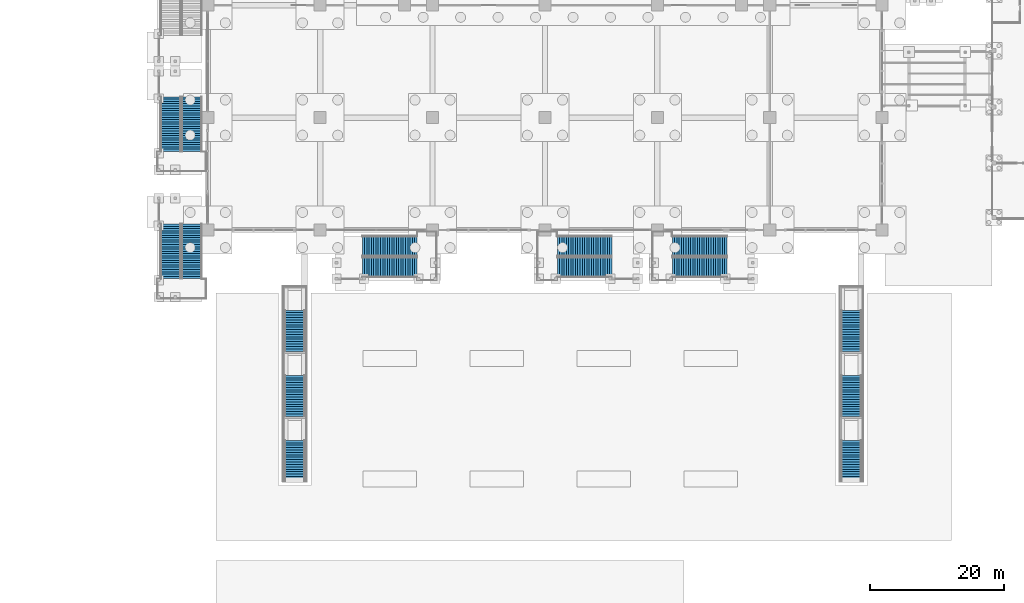
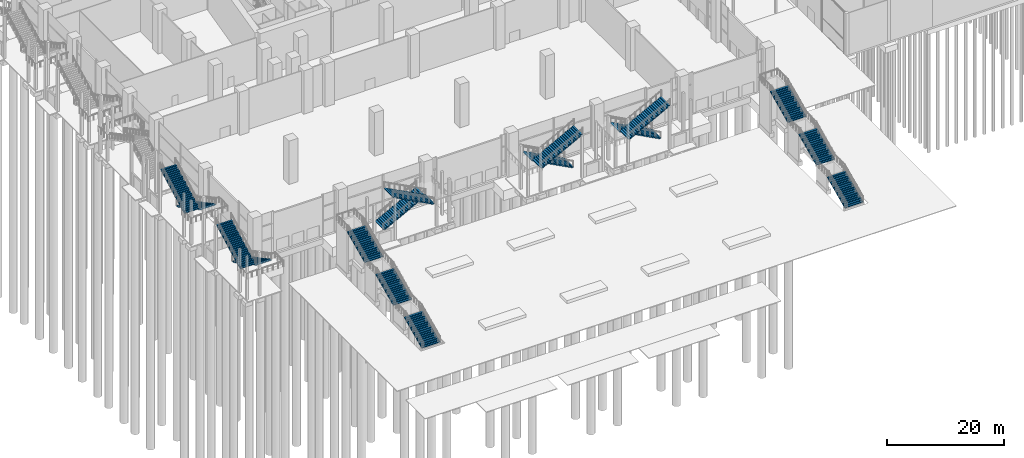
# One storey, part 51 of 72: 16 stair flights, 7 elements without a shape of their own.
"""IFC4 building model written with IfcOpenShell, lengths in metres."""

from ifc_helpers import new_model, si_unit, direction, frame, origin, place, context, subcontext, project, spatial, polyline, outline, extrude, material, type_object, element, aggregate, save


model = new_model("IFC4")

# Units and contexts
model_context = context("Model", 3, precision=1e-05, world=origin(), true_north=direction((0.0, 1.0)))
body_context = subcontext(model_context, "Body", "Model", "MODEL_VIEW")
ifc_project = project(units=[si_unit("LENGTHUNIT", "METRE"), si_unit("AREAUNIT", "SQUARE_METRE"), si_unit("VOLUMEUNIT", "CUBIC_METRE"), si_unit("PLANEANGLEUNIT", "RADIAN"), si_unit("MASSUNIT", "GRAM", prefix="KILO")], contexts=[model_context])

# Site, building, storey
site_placement = place(None, origin())
site = spatial("IfcSite", under=ifc_project, at=site_placement, CompositionType="ELEMENT")
building_placement = place(site_placement, origin())
building = spatial("IfcBuilding", under=site, at=building_placement, Name="Candeia Pilgrim Tower and Theatre", CompositionType="ELEMENT")
storey_placement = place(building_placement, origin())
storey = spatial("IfcBuildingStorey", under=building, at=storey_placement, Name="L00", CompositionType="ELEMENT", Elevation=0.0)

# Stair, stair flights
ifc_material_1 = material(Name="Concrete C35/45", Category="concrete")
stair_type_1 = type_object("IfcStairType", Name="Garden stair", PredefinedType="STRAIGHT_RUN_STAIR", material=ifc_material_1)
stair_1_placement = place(storey_placement, origin())
stair_1 = element("IfcStair", 1, at=stair_1_placement, inside=storey, type_object=stair_type_1, Name="Garden stair W", PredefinedType="STRAIGHT_RUN_STAIR")
stair_flight_type_1 = type_object("IfcStairFlightType", Name="Garden stair flight", PredefinedType="STRAIGHT", material=ifc_material_1)
stair_flight_1_placement = place(storey_placement, frame((71.800048828125, 26.840087890625, 0.0), z_axis=(0.0, 0.0, 1.0), x_axis=(0.0, 1.0, 0.0)))
stair_flight_1 = element("IfcStairFlight", 2, at=stair_flight_1_placement, type_object=stair_flight_type_1, Name="GS1 flight 1", NumberOfRisers=18, NumberOfTreads=17, PredefinedType="STRAIGHT", RiserHeight=0.166666667, TreadLength=0.36, context=body_context, shape_type="SweptSolid", body=[
    extrude(outline(polyline([(0.0, 0.0), (0.0, 0.166748046875), (0.360107421875, 0.166748046875), (0.360107421875, 0.333251953125), (0.719970703125, 0.333251953125), (0.719970703125, 0.5), (1.080078125, 0.5), (1.080078125, 0.666748046875), (1.43994140625, 0.666748046875), (1.43994140625, 0.833251953125), (1.800048828125, 0.833251953125), (1.800048828125, 1.0), (2.159912109375, 1.0), (2.159912109375, 1.166748046875), (2.52001953125, 1.166748046875), (2.52001953125, 1.333251953125), (2.8798828125, 1.333251953125), (2.8798828125, 1.5), (3.239990234375, 1.5), (3.239990234375, 1.666748046875), (3.60009765625, 1.666748046875), (3.60009765625, 1.833251953125), (3.9599609375, 1.833251953125), (3.9599609375, 2.0), (4.320068359375, 2.0), (4.320068359375, 2.166748046875), (4.679931640625, 2.166748046875), (4.679931640625, 2.333251953125), (5.0400390625, 2.333251953125), (5.0400390625, 2.5), (5.39990234375, 2.5), (5.39990234375, 2.666748046875), (5.760009765625, 2.666748046875), (5.760009765625, 2.833251953125), (6.1201171875, 2.833251953125), (6.1201171875, 3.0), (6.1201171875, 2.668212890625), (0.356689453125, 0.0), (0.0, 0.0)])), frame((0.0, 1.800048828125, 0.0), z_axis=(0.0, -1.0, 0.0), x_axis=(1.0, 0.0, 0.0)), (0.0, 0.0, 1.0), 3.60009765625),
])
stair_flight_2_placement = place(storey_placement, frame((71.800048828125, 36.56005859375, 3.0), z_axis=(0.0, 0.0, 1.0), x_axis=(0.0, 1.0, 0.0)))
stair_flight_2 = element("IfcStairFlight", 3, at=stair_flight_2_placement, type_object=stair_flight_type_1, Name="GS1 flight 2", NumberOfRisers=18, NumberOfTreads=17, PredefinedType="STRAIGHT", RiserHeight=0.166666667, TreadLength=0.36, context=body_context, shape_type="SweptSolid", body=[
    extrude(outline(polyline([(0.0, 0.0), (0.0, 0.166748046875), (0.360107421875, 0.166748046875), (0.360107421875, 0.333251953125), (0.719970703125, 0.333251953125), (0.719970703125, 0.5), (1.080078125, 0.5), (1.080078125, 0.666748046875), (1.43994140625, 0.666748046875), (1.43994140625, 0.833251953125), (1.800048828125, 0.833251953125), (1.800048828125, 1.0), (2.159912109375, 1.0), (2.159912109375, 1.166748046875), (2.52001953125, 1.166748046875), (2.52001953125, 1.333251953125), (2.8798828125, 1.333251953125), (2.8798828125, 1.5), (3.239990234375, 1.5), (3.239990234375, 1.666748046875), (3.60009765625, 1.666748046875), (3.60009765625, 1.833251953125), (3.9599609375, 1.833251953125), (3.9599609375, 2.0), (4.320068359375, 2.0), (4.320068359375, 2.166748046875), (4.679931640625, 2.166748046875), (4.679931640625, 2.333251953125), (5.0400390625, 2.333251953125), (5.0400390625, 2.5), (5.39990234375, 2.5), (5.39990234375, 2.666748046875), (5.760009765625, 2.666748046875), (5.760009765625, 2.833251953125), (6.1201171875, 2.833251953125), (6.1201171875, 3.0), (6.1201171875, 2.668212890625), (0.356689453125, 0.0), (0.0, 0.0)])), frame((0.0, 1.800048828125, 0.0), z_axis=(0.0, -1.0, 0.0), x_axis=(1.0, 0.0, 0.0)), (0.0, 0.0, 1.0), 3.60009765625),
])
stair_flight_3_placement = place(storey_placement, frame((71.800048828125, 46.280029296875, 6.0), z_axis=(0.0, 0.0, 1.0), x_axis=(0.0, 1.0, 0.0)))
stair_flight_3 = element("IfcStairFlight", 4, at=stair_flight_3_placement, type_object=stair_flight_type_1, Name="GS1 flight 3", NumberOfRisers=18, NumberOfTreads=17, PredefinedType="STRAIGHT", RiserHeight=0.166666667, TreadLength=0.36, context=body_context, shape_type="SweptSolid", body=[
    extrude(outline(polyline([(0.0, 0.0), (0.0, 0.166748046875), (0.360107421875, 0.166748046875), (0.360107421875, 0.333251953125), (0.719970703125, 0.333251953125), (0.719970703125, 0.5), (1.080078125, 0.5), (1.080078125, 0.666748046875), (1.43994140625, 0.666748046875), (1.43994140625, 0.833251953125), (1.800048828125, 0.833251953125), (1.800048828125, 1.0), (2.159912109375, 1.0), (2.159912109375, 1.166748046875), (2.52001953125, 1.166748046875), (2.52001953125, 1.333251953125), (2.8798828125, 1.333251953125), (2.8798828125, 1.5), (3.239990234375, 1.5), (3.239990234375, 1.666748046875), (3.60009765625, 1.666748046875), (3.60009765625, 1.833251953125), (3.9599609375, 1.833251953125), (3.9599609375, 2.0), (4.320068359375, 2.0), (4.320068359375, 2.166748046875), (4.679931640625, 2.166748046875), (4.679931640625, 2.333251953125), (5.0400390625, 2.333251953125), (5.0400390625, 2.5), (5.39990234375, 2.5), (5.39990234375, 2.666748046875), (5.760009765625, 2.666748046875), (5.760009765625, 2.833251953125), (6.1201171875, 2.833251953125), (6.1201171875, 3.0), (6.1201171875, 2.668212890625), (0.356689453125, 0.0), (0.0, 0.0)])), frame((0.0, 1.800048828125, 0.0), z_axis=(0.0, -1.0, 0.0), x_axis=(1.0, 0.0, 0.0)), (0.0, 0.0, 1.0), 3.60009765625),
])
aggregate(stair_1, [stair_flight_1, stair_flight_2, stair_flight_3])

stair_2_placement = place(storey_placement, origin())
stair_2 = element("IfcStair", 5, at=stair_2_placement, inside=storey, type_object=stair_type_1, Name="Garden stair E", PredefinedType="STRAIGHT_RUN_STAIR")
stair_flight_4_placement = place(storey_placement, frame((155.0, 26.840087890625, 0.0), z_axis=(0.0, 0.0, 1.0), x_axis=(0.0, 1.0, 0.0)))
stair_flight_4 = element("IfcStairFlight", 6, at=stair_flight_4_placement, type_object=stair_flight_type_1, Name="GS2 flight 1", NumberOfRisers=18, NumberOfTreads=17, PredefinedType="STRAIGHT", RiserHeight=0.166666667, TreadLength=0.36, context=body_context, shape_type="SweptSolid", body=[
    extrude(outline(polyline([(0.0, 0.0), (0.0, 0.166748046875), (0.360107421875, 0.166748046875), (0.360107421875, 0.333251953125), (0.719970703125, 0.333251953125), (0.719970703125, 0.5), (1.080078125, 0.5), (1.080078125, 0.666748046875), (1.43994140625, 0.666748046875), (1.43994140625, 0.833251953125), (1.800048828125, 0.833251953125), (1.800048828125, 1.0), (2.159912109375, 1.0), (2.159912109375, 1.166748046875), (2.52001953125, 1.166748046875), (2.52001953125, 1.333251953125), (2.8798828125, 1.333251953125), (2.8798828125, 1.5), (3.239990234375, 1.5), (3.239990234375, 1.666748046875), (3.60009765625, 1.666748046875), (3.60009765625, 1.833251953125), (3.9599609375, 1.833251953125), (3.9599609375, 2.0), (4.320068359375, 2.0), (4.320068359375, 2.166748046875), (4.679931640625, 2.166748046875), (4.679931640625, 2.333251953125), (5.0400390625, 2.333251953125), (5.0400390625, 2.5), (5.39990234375, 2.5), (5.39990234375, 2.666748046875), (5.760009765625, 2.666748046875), (5.760009765625, 2.833251953125), (6.1201171875, 2.833251953125), (6.1201171875, 3.0), (6.1201171875, 2.668212890625), (0.356689453125, 0.0), (0.0, 0.0)])), frame((0.0, 1.800048828125, 0.0), z_axis=(0.0, -1.0, 0.0), x_axis=(1.0, 0.0, 0.0)), (0.0, 0.0, 1.0), 3.60009765625),
])
stair_flight_5_placement = place(storey_placement, frame((155.0, 36.56005859375, 3.0), z_axis=(0.0, 0.0, 1.0), x_axis=(0.0, 1.0, 0.0)))
stair_flight_5 = element("IfcStairFlight", 7, at=stair_flight_5_placement, type_object=stair_flight_type_1, Name="GS2 flight 2", NumberOfRisers=18, NumberOfTreads=17, PredefinedType="STRAIGHT", RiserHeight=0.166666667, TreadLength=0.36, context=body_context, shape_type="SweptSolid", body=[
    extrude(outline(polyline([(0.0, 0.0), (0.0, 0.166748046875), (0.360107421875, 0.166748046875), (0.360107421875, 0.333251953125), (0.719970703125, 0.333251953125), (0.719970703125, 0.5), (1.080078125, 0.5), (1.080078125, 0.666748046875), (1.43994140625, 0.666748046875), (1.43994140625, 0.833251953125), (1.800048828125, 0.833251953125), (1.800048828125, 1.0), (2.159912109375, 1.0), (2.159912109375, 1.166748046875), (2.52001953125, 1.166748046875), (2.52001953125, 1.333251953125), (2.8798828125, 1.333251953125), (2.8798828125, 1.5), (3.239990234375, 1.5), (3.239990234375, 1.666748046875), (3.60009765625, 1.666748046875), (3.60009765625, 1.833251953125), (3.9599609375, 1.833251953125), (3.9599609375, 2.0), (4.320068359375, 2.0), (4.320068359375, 2.166748046875), (4.679931640625, 2.166748046875), (4.679931640625, 2.333251953125), (5.0400390625, 2.333251953125), (5.0400390625, 2.5), (5.39990234375, 2.5), (5.39990234375, 2.666748046875), (5.760009765625, 2.666748046875), (5.760009765625, 2.833251953125), (6.1201171875, 2.833251953125), (6.1201171875, 3.0), (6.1201171875, 2.668212890625), (0.356689453125, 0.0), (0.0, 0.0)])), frame((0.0, 1.800048828125, 0.0), z_axis=(0.0, -1.0, 0.0), x_axis=(1.0, 0.0, 0.0)), (0.0, 0.0, 1.0), 3.60009765625),
])
stair_flight_6_placement = place(storey_placement, frame((155.0, 46.280029296875, 6.0), z_axis=(0.0, 0.0, 1.0), x_axis=(0.0, 1.0, 0.0)))
stair_flight_6 = element("IfcStairFlight", 8, at=stair_flight_6_placement, type_object=stair_flight_type_1, Name="GS2 flight 3", NumberOfRisers=18, NumberOfTreads=17, PredefinedType="STRAIGHT", RiserHeight=0.166666667, TreadLength=0.36, context=body_context, shape_type="SweptSolid", body=[
    extrude(outline(polyline([(0.0, 0.0), (0.0, 0.166748046875), (0.360107421875, 0.166748046875), (0.360107421875, 0.333251953125), (0.719970703125, 0.333251953125), (0.719970703125, 0.5), (1.080078125, 0.5), (1.080078125, 0.666748046875), (1.43994140625, 0.666748046875), (1.43994140625, 0.833251953125), (1.800048828125, 0.833251953125), (1.800048828125, 1.0), (2.159912109375, 1.0), (2.159912109375, 1.166748046875), (2.52001953125, 1.166748046875), (2.52001953125, 1.333251953125), (2.8798828125, 1.333251953125), (2.8798828125, 1.5), (3.239990234375, 1.5), (3.239990234375, 1.666748046875), (3.60009765625, 1.666748046875), (3.60009765625, 1.833251953125), (3.9599609375, 1.833251953125), (3.9599609375, 2.0), (4.320068359375, 2.0), (4.320068359375, 2.166748046875), (4.679931640625, 2.166748046875), (4.679931640625, 2.333251953125), (5.0400390625, 2.333251953125), (5.0400390625, 2.5), (5.39990234375, 2.5), (5.39990234375, 2.666748046875), (5.760009765625, 2.666748046875), (5.760009765625, 2.833251953125), (6.1201171875, 2.833251953125), (6.1201171875, 3.0), (6.1201171875, 2.668212890625), (0.356689453125, 0.0), (0.0, 0.0)])), frame((0.0, 1.800048828125, 0.0), z_axis=(0.0, -1.0, 0.0), x_axis=(1.0, 0.0, 0.0)), (0.0, 0.0, 1.0), 3.60009765625),
])
aggregate(stair_2, [stair_flight_4, stair_flight_5, stair_flight_6])

ifc_material_2 = material(Name="Concrete C40/50", Category="concrete")
stair_type_2 = type_object("IfcStairType", Name="ST-EXT external escape stair", PredefinedType="HALF_TURN_STAIR", material=ifc_material_2)
stair_3_placement = place(storey_placement, origin())
stair_3 = element("IfcStair", 9, at=stair_3_placement, inside=storey, type_object=stair_type_2, Name="L00 External escape stair ES8", PredefinedType="HALF_TURN_STAIR")
stair_flight_type_2 = type_object("IfcStairFlightType", Name="SFL-EXT stair flight", PredefinedType="STRAIGHT", material=ifc_material_2)
stair_flight_7_placement = place(storey_placement, frame((81.89990234375, 62.0, 0.0), z_axis=(0.0, 0.0, 1.0), x_axis=(1.0, 0.0, 0.0)))
stair_flight_7 = element("IfcStairFlight", 10, at=stair_flight_7_placement, type_object=stair_flight_type_2, Name="ES8 flight 1", NumberOfRisers=25, NumberOfTreads=24, PredefinedType="STRAIGHT", RiserHeight=0.18, TreadLength=0.34, context=body_context, shape_type="SweptSolid", body=[
    extrude(outline(polyline([(0.0, 0.0), (0.0, 0.179931640625), (0.340087890625, 0.179931640625), (0.340087890625, 0.360107421875), (0.679931640625, 0.360107421875), (0.679931640625, 0.5400390625), (1.02001953125, 0.5400390625), (1.02001953125, 0.719970703125), (1.360107421875, 0.719970703125), (1.360107421875, 0.89990234375), (1.699951171875, 0.89990234375), (1.699951171875, 1.080078125), (2.0400390625, 1.080078125), (2.0400390625, 1.260009765625), (2.3798828125, 1.260009765625), (2.3798828125, 1.43994140625), (2.719970703125, 1.43994140625), (2.719970703125, 1.6201171875), (3.06005859375, 1.6201171875), (3.06005859375, 1.800048828125), (3.39990234375, 1.800048828125), (3.39990234375, 1.97998046875), (3.739990234375, 1.97998046875), (3.739990234375, 2.159912109375), (4.080078125, 2.159912109375), (4.080078125, 2.340087890625), (4.419921875, 2.340087890625), (4.419921875, 2.52001953125), (4.760009765625, 2.52001953125), (4.760009765625, 2.699951171875), (5.10009765625, 2.699951171875), (5.10009765625, 2.8798828125), (5.43994140625, 2.8798828125), (5.43994140625, 3.06005859375), (5.780029296875, 3.06005859375), (5.780029296875, 3.239990234375), (6.1201171875, 3.239990234375), (6.1201171875, 3.419921875), (6.4599609375, 3.419921875), (6.4599609375, 3.60009765625), (6.800048828125, 3.60009765625), (6.800048828125, 3.780029296875), (7.139892578125, 3.780029296875), (7.139892578125, 3.9599609375), (7.47998046875, 3.9599609375), (7.47998046875, 4.139892578125), (7.820068359375, 4.139892578125), (7.820068359375, 4.320068359375), (8.159912109375, 4.320068359375), (8.159912109375, 4.5), (8.159912109375, 4.150390625), (0.3203125, 0.0), (0.0, 0.0)])), frame((0.0, 1.5, 0.0), z_axis=(0.0, -1.0, 0.0), x_axis=(1.0, 0.0, 0.0)), (0.0, 0.0, 1.0), 3.0),
])
stair_flight_8_placement = place(storey_placement, frame((90.06005859375, 58.85009765625, 4.5), z_axis=(0.0, 0.0, 1.0), x_axis=(-1.0, 0.0, 0.0)))
stair_flight_8 = element("IfcStairFlight", 11, at=stair_flight_8_placement, type_object=stair_flight_type_2, Name="ES8 flight 2", NumberOfRisers=25, NumberOfTreads=24, PredefinedType="STRAIGHT", RiserHeight=0.18, TreadLength=0.34, context=body_context, shape_type="SweptSolid", body=[
    extrude(outline(polyline([(0.0, 0.0), (0.0, 0.179931640625), (0.340087890625, 0.179931640625), (0.340087890625, 0.360107421875), (0.679931640625, 0.360107421875), (0.679931640625, 0.5400390625), (1.02001953125, 0.5400390625), (1.02001953125, 0.719970703125), (1.360107421875, 0.719970703125), (1.360107421875, 0.89990234375), (1.699951171875, 0.89990234375), (1.699951171875, 1.080078125), (2.0400390625, 1.080078125), (2.0400390625, 1.260009765625), (2.3798828125, 1.260009765625), (2.3798828125, 1.43994140625), (2.719970703125, 1.43994140625), (2.719970703125, 1.6201171875), (3.06005859375, 1.6201171875), (3.06005859375, 1.800048828125), (3.39990234375, 1.800048828125), (3.39990234375, 1.97998046875), (3.739990234375, 1.97998046875), (3.739990234375, 2.159912109375), (4.080078125, 2.159912109375), (4.080078125, 2.340087890625), (4.419921875, 2.340087890625), (4.419921875, 2.52001953125), (4.760009765625, 2.52001953125), (4.760009765625, 2.699951171875), (5.10009765625, 2.699951171875), (5.10009765625, 2.8798828125), (5.43994140625, 2.8798828125), (5.43994140625, 3.06005859375), (5.780029296875, 3.06005859375), (5.780029296875, 3.239990234375), (6.1201171875, 3.239990234375), (6.1201171875, 3.419921875), (6.4599609375, 3.419921875), (6.4599609375, 3.60009765625), (6.800048828125, 3.60009765625), (6.800048828125, 3.780029296875), (7.139892578125, 3.780029296875), (7.139892578125, 3.9599609375), (7.47998046875, 3.9599609375), (7.47998046875, 4.139892578125), (7.820068359375, 4.139892578125), (7.820068359375, 4.320068359375), (8.159912109375, 4.320068359375), (8.159912109375, 4.5), (8.159912109375, 4.150390625), (0.3203125, 0.0), (0.0, 0.0)])), frame((0.0, 1.5, 0.0), z_axis=(0.0, -1.0, 0.0), x_axis=(1.0, 0.0, 0.0)), (0.0, 0.0, 1.0), 3.0),
])
aggregate(stair_3, [stair_flight_7, stair_flight_8])

stair_4_placement = place(storey_placement, origin())
stair_4 = element("IfcStair", 12, at=stair_4_placement, inside=storey, type_object=stair_type_2, Name="L00 External escape stair ES9", PredefinedType="HALF_TURN_STAIR")
stair_flight_9_placement = place(storey_placement, frame((119.199951171875, 62.0, 0.0), z_axis=(0.0, 0.0, 1.0), x_axis=(-1.0, 0.0, 0.0)))
stair_flight_9 = element("IfcStairFlight", 13, at=stair_flight_9_placement, type_object=stair_flight_type_2, Name="ES9 flight 1", NumberOfRisers=25, NumberOfTreads=24, PredefinedType="STRAIGHT", RiserHeight=0.18, TreadLength=0.34, context=body_context, shape_type="SweptSolid", body=[
    extrude(outline(polyline([(0.0, 0.0), (0.0, 0.179931640625), (0.340087890625, 0.179931640625), (0.340087890625, 0.360107421875), (0.679931640625, 0.360107421875), (0.679931640625, 0.5400390625), (1.02001953125, 0.5400390625), (1.02001953125, 0.719970703125), (1.360107421875, 0.719970703125), (1.360107421875, 0.89990234375), (1.699951171875, 0.89990234375), (1.699951171875, 1.080078125), (2.0400390625, 1.080078125), (2.0400390625, 1.260009765625), (2.3798828125, 1.260009765625), (2.3798828125, 1.43994140625), (2.719970703125, 1.43994140625), (2.719970703125, 1.6201171875), (3.06005859375, 1.6201171875), (3.06005859375, 1.800048828125), (3.39990234375, 1.800048828125), (3.39990234375, 1.97998046875), (3.739990234375, 1.97998046875), (3.739990234375, 2.159912109375), (4.080078125, 2.159912109375), (4.080078125, 2.340087890625), (4.419921875, 2.340087890625), (4.419921875, 2.52001953125), (4.760009765625, 2.52001953125), (4.760009765625, 2.699951171875), (5.10009765625, 2.699951171875), (5.10009765625, 2.8798828125), (5.43994140625, 2.8798828125), (5.43994140625, 3.06005859375), (5.780029296875, 3.06005859375), (5.780029296875, 3.239990234375), (6.1201171875, 3.239990234375), (6.1201171875, 3.419921875), (6.4599609375, 3.419921875), (6.4599609375, 3.60009765625), (6.800048828125, 3.60009765625), (6.800048828125, 3.780029296875), (7.139892578125, 3.780029296875), (7.139892578125, 3.9599609375), (7.47998046875, 3.9599609375), (7.47998046875, 4.139892578125), (7.820068359375, 4.139892578125), (7.820068359375, 4.320068359375), (8.159912109375, 4.320068359375), (8.159912109375, 4.5), (8.159912109375, 4.150390625), (0.3203125, 0.0), (0.0, 0.0)])), frame((0.0, 1.5, 0.0), z_axis=(0.0, -1.0, 0.0), x_axis=(1.0, 0.0, 0.0)), (0.0, 0.0, 1.0), 3.0),
])
stair_flight_10_placement = place(storey_placement, frame((111.0400390625, 58.85009765625, 4.5), z_axis=(0.0, 0.0, 1.0), x_axis=(1.0, 0.0, 0.0)))
stair_flight_10 = element("IfcStairFlight", 14, at=stair_flight_10_placement, type_object=stair_flight_type_2, Name="ES9 flight 2", NumberOfRisers=25, NumberOfTreads=24, PredefinedType="STRAIGHT", RiserHeight=0.18, TreadLength=0.34, context=body_context, shape_type="SweptSolid", body=[
    extrude(outline(polyline([(0.0, 0.0), (0.0, 0.179931640625), (0.340087890625, 0.179931640625), (0.340087890625, 0.360107421875), (0.679931640625, 0.360107421875), (0.679931640625, 0.5400390625), (1.02001953125, 0.5400390625), (1.02001953125, 0.719970703125), (1.360107421875, 0.719970703125), (1.360107421875, 0.89990234375), (1.699951171875, 0.89990234375), (1.699951171875, 1.080078125), (2.0400390625, 1.080078125), (2.0400390625, 1.260009765625), (2.3798828125, 1.260009765625), (2.3798828125, 1.43994140625), (2.719970703125, 1.43994140625), (2.719970703125, 1.6201171875), (3.06005859375, 1.6201171875), (3.06005859375, 1.800048828125), (3.39990234375, 1.800048828125), (3.39990234375, 1.97998046875), (3.739990234375, 1.97998046875), (3.739990234375, 2.159912109375), (4.080078125, 2.159912109375), (4.080078125, 2.340087890625), (4.419921875, 2.340087890625), (4.419921875, 2.52001953125), (4.760009765625, 2.52001953125), (4.760009765625, 2.699951171875), (5.10009765625, 2.699951171875), (5.10009765625, 2.8798828125), (5.43994140625, 2.8798828125), (5.43994140625, 3.06005859375), (5.780029296875, 3.06005859375), (5.780029296875, 3.239990234375), (6.1201171875, 3.239990234375), (6.1201171875, 3.419921875), (6.4599609375, 3.419921875), (6.4599609375, 3.60009765625), (6.800048828125, 3.60009765625), (6.800048828125, 3.780029296875), (7.139892578125, 3.780029296875), (7.139892578125, 3.9599609375), (7.47998046875, 3.9599609375), (7.47998046875, 4.139892578125), (7.820068359375, 4.139892578125), (7.820068359375, 4.320068359375), (8.159912109375, 4.320068359375), (8.159912109375, 4.5), (8.159912109375, 4.150390625), (0.3203125, 0.0), (0.0, 0.0)])), frame((0.0, 1.5, 0.0), z_axis=(0.0, -1.0, 0.0), x_axis=(1.0, 0.0, 0.0)), (0.0, 0.0, 1.0), 3.0),
])
aggregate(stair_4, [stair_flight_9, stair_flight_10])

stair_5_placement = place(storey_placement, origin())
stair_5 = element("IfcStair", 15, at=stair_5_placement, inside=storey, type_object=stair_type_2, Name="L00 External escape stair ES10", PredefinedType="HALF_TURN_STAIR")
stair_flight_11_placement = place(storey_placement, frame((56.39990234375, 65.300048828125, 0.0), z_axis=(0.0, 0.0, 1.0), x_axis=(0.0, -1.0, 0.0)))
stair_flight_11 = element("IfcStairFlight", 16, at=stair_flight_11_placement, type_object=stair_flight_type_2, Name="ES10 flight 1", NumberOfRisers=25, NumberOfTreads=24, PredefinedType="STRAIGHT", RiserHeight=0.18, TreadLength=0.34, context=body_context, shape_type="SweptSolid", body=[
    extrude(outline(polyline([(0.0, 0.0), (0.0, 0.179931640625), (0.340087890625, 0.179931640625), (0.340087890625, 0.360107421875), (0.679931640625, 0.360107421875), (0.679931640625, 0.5400390625), (1.02001953125, 0.5400390625), (1.02001953125, 0.719970703125), (1.360107421875, 0.719970703125), (1.360107421875, 0.89990234375), (1.699951171875, 0.89990234375), (1.699951171875, 1.080078125), (2.0400390625, 1.080078125), (2.0400390625, 1.260009765625), (2.3798828125, 1.260009765625), (2.3798828125, 1.43994140625), (2.719970703125, 1.43994140625), (2.719970703125, 1.6201171875), (3.06005859375, 1.6201171875), (3.06005859375, 1.800048828125), (3.39990234375, 1.800048828125), (3.39990234375, 1.97998046875), (3.739990234375, 1.97998046875), (3.739990234375, 2.159912109375), (4.080078125, 2.159912109375), (4.080078125, 2.340087890625), (4.419921875, 2.340087890625), (4.419921875, 2.52001953125), (4.760009765625, 2.52001953125), (4.760009765625, 2.699951171875), (5.10009765625, 2.699951171875), (5.10009765625, 2.8798828125), (5.43994140625, 2.8798828125), (5.43994140625, 3.06005859375), (5.780029296875, 3.06005859375), (5.780029296875, 3.239990234375), (6.1201171875, 3.239990234375), (6.1201171875, 3.419921875), (6.4599609375, 3.419921875), (6.4599609375, 3.60009765625), (6.800048828125, 3.60009765625), (6.800048828125, 3.780029296875), (7.139892578125, 3.780029296875), (7.139892578125, 3.9599609375), (7.47998046875, 3.9599609375), (7.47998046875, 4.139892578125), (7.820068359375, 4.139892578125), (7.820068359375, 4.320068359375), (8.159912109375, 4.320068359375), (8.159912109375, 4.5), (8.159912109375, 4.150390625), (0.3203125, 0.0), (0.0, 0.0)])), frame((0.0, 1.5, 0.0), z_axis=(0.0, -1.0, 0.0), x_axis=(1.0, 0.0, 0.0)), (0.0, 0.0, 1.0), 3.0),
])
stair_flight_12_placement = place(storey_placement, frame((53.25, 57.139892578125, 4.5), z_axis=(0.0, 0.0, 1.0), x_axis=(0.0, 1.0, 0.0)))
stair_flight_12 = element("IfcStairFlight", 17, at=stair_flight_12_placement, type_object=stair_flight_type_2, Name="ES10 flight 2", NumberOfRisers=25, NumberOfTreads=24, PredefinedType="STRAIGHT", RiserHeight=0.18, TreadLength=0.34, context=body_context, shape_type="SweptSolid", body=[
    extrude(outline(polyline([(0.0, 0.0), (0.0, 0.179931640625), (0.340087890625, 0.179931640625), (0.340087890625, 0.360107421875), (0.679931640625, 0.360107421875), (0.679931640625, 0.5400390625), (1.02001953125, 0.5400390625), (1.02001953125, 0.719970703125), (1.360107421875, 0.719970703125), (1.360107421875, 0.89990234375), (1.699951171875, 0.89990234375), (1.699951171875, 1.080078125), (2.0400390625, 1.080078125), (2.0400390625, 1.260009765625), (2.3798828125, 1.260009765625), (2.3798828125, 1.43994140625), (2.719970703125, 1.43994140625), (2.719970703125, 1.6201171875), (3.06005859375, 1.6201171875), (3.06005859375, 1.800048828125), (3.39990234375, 1.800048828125), (3.39990234375, 1.97998046875), (3.739990234375, 1.97998046875), (3.739990234375, 2.159912109375), (4.080078125, 2.159912109375), (4.080078125, 2.340087890625), (4.419921875, 2.340087890625), (4.419921875, 2.52001953125), (4.760009765625, 2.52001953125), (4.760009765625, 2.699951171875), (5.10009765625, 2.699951171875), (5.10009765625, 2.8798828125), (5.43994140625, 2.8798828125), (5.43994140625, 3.06005859375), (5.780029296875, 3.06005859375), (5.780029296875, 3.239990234375), (6.1201171875, 3.239990234375), (6.1201171875, 3.419921875), (6.4599609375, 3.419921875), (6.4599609375, 3.60009765625), (6.800048828125, 3.60009765625), (6.800048828125, 3.780029296875), (7.139892578125, 3.780029296875), (7.139892578125, 3.9599609375), (7.47998046875, 3.9599609375), (7.47998046875, 4.139892578125), (7.820068359375, 4.139892578125), (7.820068359375, 4.320068359375), (8.159912109375, 4.320068359375), (8.159912109375, 4.5), (8.159912109375, 4.150390625), (0.3203125, 0.0), (0.0, 0.0)])), frame((0.0, 1.5, 0.0), z_axis=(0.0, -1.0, 0.0), x_axis=(1.0, 0.0, 0.0)), (0.0, 0.0, 1.0), 3.0),
])
aggregate(stair_5, [stair_flight_11, stair_flight_12])

stair_6_placement = place(storey_placement, origin())
stair_6 = element("IfcStair", 18, at=stair_6_placement, inside=storey, type_object=stair_type_2, Name="L00 External escape stair ES11", PredefinedType="HALF_TURN_STAIR")
stair_flight_13_placement = place(storey_placement, frame((56.39990234375, 84.300048828125, 0.0), z_axis=(0.0, 0.0, 1.0), x_axis=(0.0, -1.0, 0.0)))
stair_flight_13 = element("IfcStairFlight", 19, at=stair_flight_13_placement, type_object=stair_flight_type_2, Name="ES11 flight 1", NumberOfRisers=25, NumberOfTreads=24, PredefinedType="STRAIGHT", RiserHeight=0.18, TreadLength=0.34, context=body_context, shape_type="SweptSolid", body=[
    extrude(outline(polyline([(0.0, 0.0), (0.0, 0.179931640625), (0.340087890625, 0.179931640625), (0.340087890625, 0.360107421875), (0.679931640625, 0.360107421875), (0.679931640625, 0.5400390625), (1.02001953125, 0.5400390625), (1.02001953125, 0.719970703125), (1.360107421875, 0.719970703125), (1.360107421875, 0.89990234375), (1.699951171875, 0.89990234375), (1.699951171875, 1.080078125), (2.0400390625, 1.080078125), (2.0400390625, 1.260009765625), (2.3798828125, 1.260009765625), (2.3798828125, 1.43994140625), (2.719970703125, 1.43994140625), (2.719970703125, 1.6201171875), (3.06005859375, 1.6201171875), (3.06005859375, 1.800048828125), (3.39990234375, 1.800048828125), (3.39990234375, 1.97998046875), (3.739990234375, 1.97998046875), (3.739990234375, 2.159912109375), (4.080078125, 2.159912109375), (4.080078125, 2.340087890625), (4.419921875, 2.340087890625), (4.419921875, 2.52001953125), (4.760009765625, 2.52001953125), (4.760009765625, 2.699951171875), (5.10009765625, 2.699951171875), (5.10009765625, 2.8798828125), (5.43994140625, 2.8798828125), (5.43994140625, 3.06005859375), (5.780029296875, 3.06005859375), (5.780029296875, 3.239990234375), (6.1201171875, 3.239990234375), (6.1201171875, 3.419921875), (6.4599609375, 3.419921875), (6.4599609375, 3.60009765625), (6.800048828125, 3.60009765625), (6.800048828125, 3.780029296875), (7.139892578125, 3.780029296875), (7.139892578125, 3.9599609375), (7.47998046875, 3.9599609375), (7.47998046875, 4.139892578125), (7.820068359375, 4.139892578125), (7.820068359375, 4.320068359375), (8.159912109375, 4.320068359375), (8.159912109375, 4.5), (8.159912109375, 4.150390625), (0.3203125, 0.0), (0.0, 0.0)])), frame((0.0, 1.5, 0.0), z_axis=(0.0, -1.0, 0.0), x_axis=(1.0, 0.0, 0.0)), (0.0, 0.0, 1.0), 3.0),
])
stair_flight_14_placement = place(storey_placement, frame((53.25, 76.139892578125, 4.5), z_axis=(0.0, 0.0, 1.0), x_axis=(0.0, 1.0, 0.0)))
stair_flight_14 = element("IfcStairFlight", 20, at=stair_flight_14_placement, type_object=stair_flight_type_2, Name="ES11 flight 2", NumberOfRisers=25, NumberOfTreads=24, PredefinedType="STRAIGHT", RiserHeight=0.18, TreadLength=0.34, context=body_context, shape_type="SweptSolid", body=[
    extrude(outline(polyline([(0.0, 0.0), (0.0, 0.179931640625), (0.340087890625, 0.179931640625), (0.340087890625, 0.360107421875), (0.679931640625, 0.360107421875), (0.679931640625, 0.5400390625), (1.02001953125, 0.5400390625), (1.02001953125, 0.719970703125), (1.360107421875, 0.719970703125), (1.360107421875, 0.89990234375), (1.699951171875, 0.89990234375), (1.699951171875, 1.080078125), (2.0400390625, 1.080078125), (2.0400390625, 1.260009765625), (2.3798828125, 1.260009765625), (2.3798828125, 1.43994140625), (2.719970703125, 1.43994140625), (2.719970703125, 1.6201171875), (3.06005859375, 1.6201171875), (3.06005859375, 1.800048828125), (3.39990234375, 1.800048828125), (3.39990234375, 1.97998046875), (3.739990234375, 1.97998046875), (3.739990234375, 2.159912109375), (4.080078125, 2.159912109375), (4.080078125, 2.340087890625), (4.419921875, 2.340087890625), (4.419921875, 2.52001953125), (4.760009765625, 2.52001953125), (4.760009765625, 2.699951171875), (5.10009765625, 2.699951171875), (5.10009765625, 2.8798828125), (5.43994140625, 2.8798828125), (5.43994140625, 3.06005859375), (5.780029296875, 3.06005859375), (5.780029296875, 3.239990234375), (6.1201171875, 3.239990234375), (6.1201171875, 3.419921875), (6.4599609375, 3.419921875), (6.4599609375, 3.60009765625), (6.800048828125, 3.60009765625), (6.800048828125, 3.780029296875), (7.139892578125, 3.780029296875), (7.139892578125, 3.9599609375), (7.47998046875, 3.9599609375), (7.47998046875, 4.139892578125), (7.820068359375, 4.139892578125), (7.820068359375, 4.320068359375), (8.159912109375, 4.320068359375), (8.159912109375, 4.5), (8.159912109375, 4.150390625), (0.3203125, 0.0), (0.0, 0.0)])), frame((0.0, 1.5, 0.0), z_axis=(0.0, -1.0, 0.0), x_axis=(1.0, 0.0, 0.0)), (0.0, 0.0, 1.0), 3.0),
])
aggregate(stair_6, [stair_flight_13, stair_flight_14])

stair_7_placement = place(storey_placement, origin())
stair_7 = element("IfcStair", 21, at=stair_7_placement, inside=storey, type_object=stair_type_2, Name="L00 External escape stair ES16", PredefinedType="HALF_TURN_STAIR")
stair_flight_15_placement = place(storey_placement, frame((136.39990234375, 62.0, 0.0), z_axis=(0.0, 0.0, 1.0), x_axis=(-1.0, 0.0, 0.0)))
stair_flight_15 = element("IfcStairFlight", 22, at=stair_flight_15_placement, type_object=stair_flight_type_2, Name="ES16 flight 1", NumberOfRisers=25, NumberOfTreads=24, PredefinedType="STRAIGHT", RiserHeight=0.18, TreadLength=0.34, context=body_context, shape_type="SweptSolid", body=[
    extrude(outline(polyline([(0.0, 0.0), (0.0, 0.179931640625), (0.340087890625, 0.179931640625), (0.340087890625, 0.360107421875), (0.679931640625, 0.360107421875), (0.679931640625, 0.5400390625), (1.02001953125, 0.5400390625), (1.02001953125, 0.719970703125), (1.360107421875, 0.719970703125), (1.360107421875, 0.89990234375), (1.699951171875, 0.89990234375), (1.699951171875, 1.080078125), (2.0400390625, 1.080078125), (2.0400390625, 1.260009765625), (2.3798828125, 1.260009765625), (2.3798828125, 1.43994140625), (2.719970703125, 1.43994140625), (2.719970703125, 1.6201171875), (3.06005859375, 1.6201171875), (3.06005859375, 1.800048828125), (3.39990234375, 1.800048828125), (3.39990234375, 1.97998046875), (3.739990234375, 1.97998046875), (3.739990234375, 2.159912109375), (4.080078125, 2.159912109375), (4.080078125, 2.340087890625), (4.419921875, 2.340087890625), (4.419921875, 2.52001953125), (4.760009765625, 2.52001953125), (4.760009765625, 2.699951171875), (5.10009765625, 2.699951171875), (5.10009765625, 2.8798828125), (5.43994140625, 2.8798828125), (5.43994140625, 3.06005859375), (5.780029296875, 3.06005859375), (5.780029296875, 3.239990234375), (6.1201171875, 3.239990234375), (6.1201171875, 3.419921875), (6.4599609375, 3.419921875), (6.4599609375, 3.60009765625), (6.800048828125, 3.60009765625), (6.800048828125, 3.780029296875), (7.139892578125, 3.780029296875), (7.139892578125, 3.9599609375), (7.47998046875, 3.9599609375), (7.47998046875, 4.139892578125), (7.820068359375, 4.139892578125), (7.820068359375, 4.320068359375), (8.159912109375, 4.320068359375), (8.159912109375, 4.5), (8.159912109375, 4.150390625), (0.3203125, 0.0), (0.0, 0.0)])), frame((0.0, 1.5, 0.0), z_axis=(0.0, -1.0, 0.0), x_axis=(1.0, 0.0, 0.0)), (0.0, 0.0, 1.0), 3.0),
])
stair_flight_16_placement = place(storey_placement, frame((128.239990234375, 58.85009765625, 4.5), z_axis=(0.0, 0.0, 1.0), x_axis=(1.0, 0.0, 0.0)))
stair_flight_16 = element("IfcStairFlight", 23, at=stair_flight_16_placement, type_object=stair_flight_type_2, Name="ES16 flight 2", NumberOfRisers=25, NumberOfTreads=24, PredefinedType="STRAIGHT", RiserHeight=0.18, TreadLength=0.34, context=body_context, shape_type="SweptSolid", body=[
    extrude(outline(polyline([(0.0, 0.0), (0.0, 0.179931640625), (0.340087890625, 0.179931640625), (0.340087890625, 0.360107421875), (0.679931640625, 0.360107421875), (0.679931640625, 0.5400390625), (1.02001953125, 0.5400390625), (1.02001953125, 0.719970703125), (1.360107421875, 0.719970703125), (1.360107421875, 0.89990234375), (1.699951171875, 0.89990234375), (1.699951171875, 1.080078125), (2.0400390625, 1.080078125), (2.0400390625, 1.260009765625), (2.3798828125, 1.260009765625), (2.3798828125, 1.43994140625), (2.719970703125, 1.43994140625), (2.719970703125, 1.6201171875), (3.06005859375, 1.6201171875), (3.06005859375, 1.800048828125), (3.39990234375, 1.800048828125), (3.39990234375, 1.97998046875), (3.739990234375, 1.97998046875), (3.739990234375, 2.159912109375), (4.080078125, 2.159912109375), (4.080078125, 2.340087890625), (4.419921875, 2.340087890625), (4.419921875, 2.52001953125), (4.760009765625, 2.52001953125), (4.760009765625, 2.699951171875), (5.10009765625, 2.699951171875), (5.10009765625, 2.8798828125), (5.43994140625, 2.8798828125), (5.43994140625, 3.06005859375), (5.780029296875, 3.06005859375), (5.780029296875, 3.239990234375), (6.1201171875, 3.239990234375), (6.1201171875, 3.419921875), (6.4599609375, 3.419921875), (6.4599609375, 3.60009765625), (6.800048828125, 3.60009765625), (6.800048828125, 3.780029296875), (7.139892578125, 3.780029296875), (7.139892578125, 3.9599609375), (7.47998046875, 3.9599609375), (7.47998046875, 4.139892578125), (7.820068359375, 4.139892578125), (7.820068359375, 4.320068359375), (8.159912109375, 4.320068359375), (8.159912109375, 4.5), (8.159912109375, 4.150390625), (0.3203125, 0.0), (0.0, 0.0)])), frame((0.0, 1.5, 0.0), z_axis=(0.0, -1.0, 0.0), x_axis=(1.0, 0.0, 0.0)), (0.0, 0.0, 1.0), 3.0),
])
aggregate(stair_7, [stair_flight_15, stair_flight_16])

save(model, "model.ifc")
